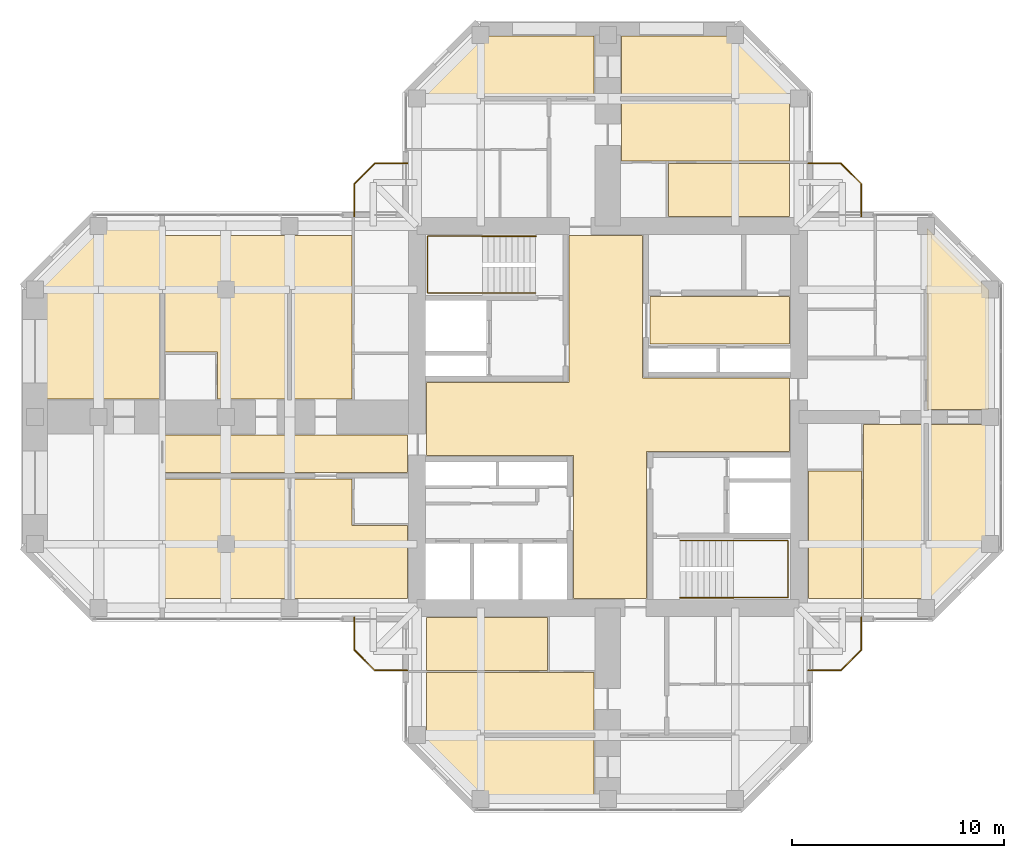
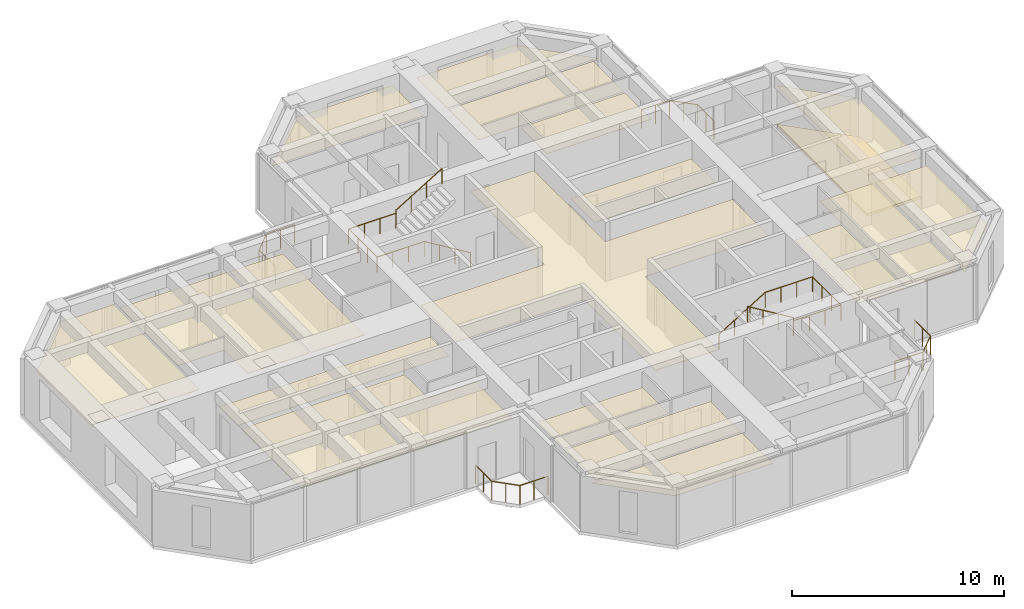
# One storey, part 13 of 13: 20 coverings, 8 railings.
"""IFC4 building model written with IfcOpenShell, lengths in metres."""

import ifcopenshell
import ifcopenshell.guid

model = None  # the IFC model being written
_history = None  # IfcOwnerHistory: only IFC2X3 demands one
_inside = {}  # id of a spatial element -> (the spatial element, [elements in it])
_under = {}  # id of a project, library or spatial element -> (it, [spatial elements below it])
_declared = {}  # id of a project -> (the project, [libraries it declares])
_typed = {}  # id of a type object -> (the type object, [elements of that type])
_made_of = {}  # id of a material, layer set ... -> (it, [elements and type objects made of it])


def new_model(schema):
    """Start an empty IFC model of exactly this schema.

    Asked for "IFC4X3", IfcOpenShell would pick the latest addendum, in which some entities
    have other attributes; the version numbers below select the first issue.
    IFC2X3 requires an IfcOwnerHistory on every rooted entity: one is made here for all.
    """
    global model, _history
    if schema == "IFC4X3":
        model = ifcopenshell.file(schema_version=(4, 3, 0, 0))
    else:
        model = ifcopenshell.file(schema=schema)
    _inside.clear()
    _under.clear()
    _declared.clear()
    _typed.clear()
    _made_of.clear()
    _history = None
    if model.schema == "IFC2X3":
        org = make("IfcOrganization", Name="unknown")
        user = make(
            "IfcPersonAndOrganization",
            ThePerson=make("IfcPerson", FamilyName="unknown"),
            TheOrganization=org,
        )
        app = make(
            "IfcApplication",
            ApplicationDeveloper=org,
            Version="unknown",
            ApplicationFullName="unknown",
            ApplicationIdentifier="unknown",
        )
        _history = make(
            "IfcOwnerHistory",
            OwningUser=user,
            OwningApplication=app,
            ChangeAction="ADDED",
            CreationDate=0,
        )
    return model


def make(cls, **values):
    """One entity of the class cls with the attributes given. An attribute that is None is left unset."""
    return model.create_entity(
        cls, **{name: value for name, value in values.items() if value is not None}
    )


def rooted(cls, **values):
    """An entity with a GlobalId (a new one), such as an element, a storey or a relation."""
    return make(cls, GlobalId=ifcopenshell.guid.new(), OwnerHistory=_history, **values)


def si_unit(unit_type, name, prefix=None):
    """IfcSIUnit, for example si_unit("LENGTHUNIT", "METRE", prefix="MILLI")."""
    return make("IfcSIUnit", UnitType=unit_type, Prefix=prefix, Name=name)


def assignment(units):
    """IfcUnitAssignment: the units of a project."""
    return None if units is None else make("IfcUnitAssignment", Units=units)


def point(xyz):
    """IfcCartesianPoint."""
    return None if xyz is None else make("IfcCartesianPoint", Coordinates=xyz)


def direction(xyz):
    """IfcDirection."""
    return None if xyz is None else make("IfcDirection", DirectionRatios=xyz)


def frame(location, z_axis=None, x_axis=None):
    """IfcAxis2Placement3D, a coordinate frame: its origin and axes. An axis left out is left unset."""
    return make(
        "IfcAxis2Placement3D",
        Location=point(location),
        Axis=direction(z_axis),
        RefDirection=direction(x_axis),
    )


def frame_2d(location, x_axis=None):
    """IfcAxis2Placement2D, a coordinate frame in the plane: its origin and x axis."""
    return make(
        "IfcAxis2Placement2D", Location=point(location), RefDirection=direction(x_axis)
    )


def origin():
    """The frame at (0, 0, 0) with its axes left unset."""
    return frame((0.0, 0.0, 0.0))


def origin_2d():
    """The frame at (0, 0) in the plane with its x axis left unset."""
    return frame_2d((0.0, 0.0))


def place(relative_to, where):
    """IfcLocalPlacement: puts the frame where relative to a parent placement (None: the world)."""
    return make(
        "IfcLocalPlacement", PlacementRelTo=relative_to, RelativePlacement=where
    )


def context(
    kind, dimensions, precision=None, world=None, true_north=None, identifier=None
):
    """IfcGeometricRepresentationContext, for example the 3D "Model" context."""
    return make(
        "IfcGeometricRepresentationContext",
        ContextIdentifier=identifier,
        ContextType=kind,
        CoordinateSpaceDimension=dimensions,
        Precision=precision,
        WorldCoordinateSystem=world,
        TrueNorth=true_north,
    )


def subcontext(parent, identifier, kind, view, scale=None):
    """IfcGeometricRepresentationSubContext, for example "Body" below "Model"."""
    return make(
        "IfcGeometricRepresentationSubContext",
        ContextIdentifier=identifier,
        ContextType=kind,
        ParentContext=parent,
        TargetScale=scale,
        TargetView=view,
    )


def project(units=None, contexts=None):
    """IfcProject with its units and contexts."""
    return rooted(
        "IfcProject",
        Name="project",
        RepresentationContexts=contexts,
        UnitsInContext=assignment(units),
    )


def spatial(cls, under=None, at=None, **own):
    """A site, building, storey or space (cls), placed at a placement, below another one or the project."""
    s = rooted(cls, ObjectPlacement=at, **own)
    if under is not None:
        _under.setdefault(under.id(), (under, []))[1].append(s)
    return s


def polyline(points):
    """IfcPolyline through the points."""
    return make("IfcPolyline", Points=[point(p) for p in points])


def profile(cls, at=None, kind="AREA", **sizes):
    """A parametric profile (cls). Its sizes go by their IFC names, for example OverallWidth=200.0."""
    return make(cls, ProfileType=kind, Position=at, **sizes)


def circle(**sizes):
    """IfcCircleProfileDef."""
    return profile("IfcCircleProfileDef", **sizes)


def outline(outer, holes=None, kind="AREA"):
    """IfcArbitraryClosedProfileDef: a profile drawn as a closed curve; with holes, ...WithVoids."""
    if holes is None:
        return make("IfcArbitraryClosedProfileDef", ProfileType=kind, OuterCurve=outer)
    return make(
        "IfcArbitraryProfileDefWithVoids",
        ProfileType=kind,
        OuterCurve=outer,
        InnerCurves=holes,
    )


def extrude(swept, where, along, depth):
    """IfcExtrudedAreaSolid: the profile swept, set in the frame where, extruded along a direction by depth."""
    return make(
        "IfcExtrudedAreaSolid",
        SweptArea=swept,
        Position=where,
        ExtrudedDirection=direction(along),
        Depth=depth,
    )


def shape(context_of_items, identifier, shape_type, items):
    """IfcShapeRepresentation: the items that make up one representation, for example the "Body"."""
    return make(
        "IfcShapeRepresentation",
        ContextOfItems=context_of_items,
        RepresentationIdentifier=identifier,
        RepresentationType=shape_type,
        Items=items,
    )


def material(Name=None, Category=None):
    """IfcMaterial."""
    return make("IfcMaterial", Name=Name, Category=Category)


def layer(
    of_material, thickness, ventilated=None, Name=None, Category=None, Priority=None
):
    """IfcMaterialLayer: one layer of a wall or slab, of a material (None: an air gap)."""
    return make(
        "IfcMaterialLayer",
        Material=of_material,
        LayerThickness=thickness,
        IsVentilated=ventilated,
        Name=Name,
        Category=Category,
        Priority=Priority,
    )


def layer_set(layers, Name=None):
    """IfcMaterialLayerSet."""
    return make("IfcMaterialLayerSet", MaterialLayers=layers, LayerSetName=Name)


def constituent(of_material, Name=None, Category=None, fraction=None):
    """IfcMaterialConstituent: one of the materials an element consists of."""
    return make(
        "IfcMaterialConstituent",
        Name=Name,
        Material=of_material,
        Fraction=fraction,
        Category=Category,
    )


def constituent_set(constituents=None, Name=None):
    """IfcMaterialConstituentSet."""
    return make(
        "IfcMaterialConstituentSet", Name=Name, MaterialConstituents=constituents
    )


def made_of(thing, what):
    """Note that an element or type object is made of a material, layer set ...; save() writes the relation."""
    if what is not None:
        _made_of.setdefault(what.id(), (what, []))[1].append(thing)
    return thing


def type_object(cls, material=None, **own):
    """A type object (cls), such as IfcWallType, which elements share."""
    return made_of(rooted(cls, **own), material)


def element(
    cls,
    number,
    at=None,
    inside=None,
    cuts=None,
    type_object=None,
    material=None,
    context=None,
    identifier="Body",
    shape_type=None,
    held_by="IfcProductDefinitionShape",
    body=None,
    shapes=None,
    **own,
):
    """One element of the class cls, such as IfcWall. Its Tag is "e" and its number.

    at: its placement. inside: the storey or other place that contains it. cuts: it is an
    opening in that element (IfcRelVoidsElement). A single representation is given by context,
    identifier, shape_type and body (its items); several are given by shapes. held_by: the class
    of the entity that holds the representations. save() writes the other relations.
    """
    e = rooted(cls, Tag="e%d" % number, ObjectPlacement=at, **own)
    if body is not None:
        shapes = [shape(context, identifier, shape_type, body)]
    if shapes is not None:
        e.Representation = make(held_by, Representations=shapes)
    if inside is not None:
        _inside.setdefault(inside.id(), (inside, []))[1].append(e)
    if cuts is not None:
        rooted(
            "IfcRelVoidsElement", RelatingBuildingElement=cuts, RelatedOpeningElement=e
        )
    if type_object is not None:
        _typed.setdefault(type_object.id(), (type_object, []))[1].append(e)
    return made_of(e, material)


def aggregate(whole, parts):
    """IfcRelAggregates: a whole, such as a stair, and the parts it consists of."""
    return rooted("IfcRelAggregates", RelatingObject=whole, RelatedObjects=parts)


def save(model, path):
    """Write the relations noted so far, then the file.

    IfcRelAggregates (storeys below a building ...), IfcRelContainedInSpatialStructure (elements
    in a storey), IfcRelDefinesByType, IfcRelAssociatesMaterial and IfcRelDeclares: one each for
    every whole, place, type object, material and project.
    """
    for whole, parts in _under.values():
        aggregate(whole, parts)
    for where, things in _inside.values():
        rooted(
            "IfcRelContainedInSpatialStructure",
            RelatedElements=things,
            RelatingStructure=where,
        )
    for kind, things in _typed.values():
        rooted("IfcRelDefinesByType", RelatedObjects=things, RelatingType=kind)
    for what, things in _made_of.values():
        rooted("IfcRelAssociatesMaterial", RelatedObjects=things, RelatingMaterial=what)
    for by, libraries in _declared.values():
        rooted("IfcRelDeclares", RelatingContext=by, RelatedDefinitions=libraries)
    model.write(path)


model = new_model("IFC4")

# Units and contexts
model_context = context("Model", 3, precision=1e-05, world=origin(), true_north=direction((0.0, 1.0)))
body_context = subcontext(model_context, "Body", "Model", "MODEL_VIEW")
ifc_project = project(units=[si_unit("LENGTHUNIT", "METRE"), si_unit("AREAUNIT", "SQUARE_METRE"), si_unit("VOLUMEUNIT", "CUBIC_METRE"), si_unit("PLANEANGLEUNIT", "RADIAN"), si_unit("MASSUNIT", "GRAM", prefix="KILO")], contexts=[model_context])

# Site, building, storey
site_placement = place(None, origin())
site = spatial("IfcSite", under=ifc_project, at=site_placement, CompositionType="ELEMENT")
building_placement = place(site_placement, origin())
building = spatial("IfcBuilding", under=site, at=building_placement, Name="Torre Cruceta", CompositionType="ELEMENT")
storey_placement = place(building_placement, frame((0.0, 0.0, 239.10009765625)))
storey = spatial("IfcBuildingStorey", under=building, at=storey_placement, Name="L61", CompositionType="ELEMENT", Elevation=239.10009765625)

# Railings
ifc_material_1 = material(Name="Stainless steel 1.4401", Category="steel")
ifc_constituent_1 = constituent(ifc_material_1, Name="Frame")
ifc_material_2 = material(Name="Laminated safety glass", Category="glass")
ifc_constituent_2 = constituent(ifc_material_2, Name="Infill")
ifc_constituent_set_1 = constituent_set(constituents=[ifc_constituent_1, ifc_constituent_2], Name="Stainless steel and laminated glass balustrade")
railing_type_1 = type_object("IfcRailingType", Name="BALCONY BALUSTRADE 1100", PredefinedType="BALUSTRADE", material=ifc_constituent_set_1)
railing_1_placement = place(storey_placement, frame((-9.449951171875, 11.949951171875, 0.0)))
element("IfcRailing", 1, at=railing_1_placement, inside=storey, type_object=railing_type_1, Name="BL1 balcony balustrade L61 N", PredefinedType="BALUSTRADE", context=body_context, shape_type="SweptSolid", body=[
    extrude(circle(Radius=0.02392578125, at=origin_2d()), frame((0.0, 0.0, 1.076171875), z_axis=(-1.0, 0.0, 0.0), x_axis=(0.0, -1.0, 0.0)), (0.0, 0.0, 1.0), 1.529296875),
    extrude(circle(Radius=0.02392578125, at=origin_2d()), frame((-1.529296875, 0.0, 1.076171875), z_axis=(-0.707106781187, -0.707106781187, 0.0), x_axis=(0.707106781187, -0.707106781187, 0.0)), (0.0, 0.0, 1.0), 1.372802734375),
    extrude(circle(Radius=0.02392578125, at=origin_2d()), frame((-2.5, -0.970703125, 1.076171875), z_axis=(0.0, -1.0, 0.0), x_axis=(1.0, 0.0, 0.0)), (0.0, 0.0, 1.0), 1.529296875),
    extrude(circle(Radius=0.02099609375, at=origin_2d()), origin(), (0.0, 0.0, 1.0), 1.052001953125),
    extrude(circle(Radius=0.02099609375, at=origin_2d()), frame((-0.7646484375, 0.0, 0.0)), (0.0, 0.0, 1.0), 1.052001953125),
    extrude(circle(Radius=0.02099609375, at=origin_2d()), frame((-1.529296875, 0.0, 0.0)), (0.0, 0.0, 1.0), 1.052001953125),
    extrude(circle(Radius=0.02099609375, at=origin_2d()), frame((-2.0146484375, -0.4853515625, 0.0)), (0.0, 0.0, 1.0), 1.052001953125),
    extrude(circle(Radius=0.02099609375, at=origin_2d()), frame((-2.5, -0.970703125, 0.0)), (0.0, 0.0, 1.0), 1.052001953125),
    extrude(circle(Radius=0.02099609375, at=origin_2d()), frame((-2.5, -1.7353515625, 0.0)), (0.0, 0.0, 1.0), 1.052001953125),
    extrude(circle(Radius=0.02099609375, at=origin_2d()), frame((-2.5, -2.5, 0.0)), (0.0, 0.0, 1.0), 1.052001953125),
])
railing_2_placement = place(storey_placement, frame((9.449951171875, 11.949951171875, 0.0)))
element("IfcRailing", 2, at=railing_2_placement, inside=storey, type_object=railing_type_1, Name="BL1 balcony balustrade L61 E", PredefinedType="BALUSTRADE", context=body_context, shape_type="SweptSolid", body=[
    extrude(circle(Radius=0.02392578125, at=origin_2d()), frame((0.0, 0.0, 1.076171875), z_axis=(1.0, 0.0, 0.0), x_axis=(0.0, 1.0, 0.0)), (0.0, 0.0, 1.0), 1.529296875),
    extrude(circle(Radius=0.02392578125, at=origin_2d()), frame((1.529296875, 0.0, 1.076171875), z_axis=(0.707106781187, -0.707106781187, 0.0), x_axis=(0.707106781187, 0.707106781187, 0.0)), (0.0, 0.0, 1.0), 1.372802734375),
    extrude(circle(Radius=0.02392578125, at=origin_2d()), frame((2.5, -0.970703125, 1.076171875), z_axis=(0.0, -1.0, 0.0), x_axis=(1.0, 0.0, 0.0)), (0.0, 0.0, 1.0), 1.529296875),
    extrude(circle(Radius=0.02099609375, at=origin_2d()), origin(), (0.0, 0.0, 1.0), 1.052001953125),
    extrude(circle(Radius=0.02099609375, at=origin_2d()), frame((0.7646484375, 0.0, 0.0)), (0.0, 0.0, 1.0), 1.052001953125),
    extrude(circle(Radius=0.02099609375, at=origin_2d()), frame((1.529296875, 0.0, 0.0)), (0.0, 0.0, 1.0), 1.052001953125),
    extrude(circle(Radius=0.02099609375, at=origin_2d()), frame((2.0146484375, -0.4853515625, 0.0)), (0.0, 0.0, 1.0), 1.052001953125),
    extrude(circle(Radius=0.02099609375, at=origin_2d()), frame((2.5, -0.970703125, 0.0)), (0.0, 0.0, 1.0), 1.052001953125),
    extrude(circle(Radius=0.02099609375, at=origin_2d()), frame((2.5, -1.7353515625, 0.0)), (0.0, 0.0, 1.0), 1.052001953125),
    extrude(circle(Radius=0.02099609375, at=origin_2d()), frame((2.5, -2.5, 0.0)), (0.0, 0.0, 1.0), 1.052001953125),
])
railing_3_placement = place(storey_placement, frame((9.449951171875, -11.949951171875, 0.0)))
element("IfcRailing", 3, at=railing_3_placement, inside=storey, type_object=railing_type_1, Name="BL1 balcony balustrade L61 S", PredefinedType="BALUSTRADE", context=body_context, shape_type="SweptSolid", body=[
    extrude(circle(Radius=0.02392578125, at=origin_2d()), frame((0.0, 0.0, 1.076171875), z_axis=(1.0, 0.0, 0.0), x_axis=(0.0, 1.0, 0.0)), (0.0, 0.0, 1.0), 1.529296875),
    extrude(circle(Radius=0.02392578125, at=origin_2d()), frame((1.529296875, 0.0, 1.076171875), z_axis=(0.707106781187, 0.707106781187, 0.0), x_axis=(-0.707106781187, 0.707106781187, 0.0)), (0.0, 0.0, 1.0), 1.372802734375),
    extrude(circle(Radius=0.02392578125, at=origin_2d()), frame((2.5, 0.970703125, 1.076171875), z_axis=(0.0, 1.0, 0.0), x_axis=(-1.0, 0.0, 0.0)), (0.0, 0.0, 1.0), 1.529296875),
    extrude(circle(Radius=0.02099609375, at=origin_2d()), origin(), (0.0, 0.0, 1.0), 1.052001953125),
    extrude(circle(Radius=0.02099609375, at=origin_2d()), frame((0.7646484375, 0.0, 0.0)), (0.0, 0.0, 1.0), 1.052001953125),
    extrude(circle(Radius=0.02099609375, at=origin_2d()), frame((1.529296875, 0.0, 0.0)), (0.0, 0.0, 1.0), 1.052001953125),
    extrude(circle(Radius=0.02099609375, at=origin_2d()), frame((2.0146484375, 0.4853515625, 0.0)), (0.0, 0.0, 1.0), 1.052001953125),
    extrude(circle(Radius=0.02099609375, at=origin_2d()), frame((2.5, 0.970703125, 0.0)), (0.0, 0.0, 1.0), 1.052001953125),
    extrude(circle(Radius=0.02099609375, at=origin_2d()), frame((2.5, 1.7353515625, 0.0)), (0.0, 0.0, 1.0), 1.052001953125),
    extrude(circle(Radius=0.02099609375, at=origin_2d()), frame((2.5, 2.5, 0.0)), (0.0, 0.0, 1.0), 1.052001953125),
])
railing_4_placement = place(storey_placement, frame((-9.449951171875, -11.949951171875, 0.0)))
element("IfcRailing", 4, at=railing_4_placement, inside=storey, type_object=railing_type_1, Name="BL1 balcony balustrade L61 W", PredefinedType="BALUSTRADE", context=body_context, shape_type="SweptSolid", body=[
    extrude(circle(Radius=0.02392578125, at=origin_2d()), frame((0.0, 0.0, 1.076171875), z_axis=(-1.0, 0.0, 0.0), x_axis=(0.0, -1.0, 0.0)), (0.0, 0.0, 1.0), 1.529296875),
    extrude(circle(Radius=0.02392578125, at=origin_2d()), frame((-1.529296875, 0.0, 1.076171875), z_axis=(-0.707106781187, 0.707106781187, 0.0), x_axis=(-0.707106781187, -0.707106781187, 0.0)), (0.0, 0.0, 1.0), 1.372802734375),
    extrude(circle(Radius=0.02392578125, at=origin_2d()), frame((-2.5, 0.970703125, 1.076171875), z_axis=(0.0, 1.0, 0.0), x_axis=(-1.0, 0.0, 0.0)), (0.0, 0.0, 1.0), 1.529296875),
    extrude(circle(Radius=0.02099609375, at=origin_2d()), origin(), (0.0, 0.0, 1.0), 1.052001953125),
    extrude(circle(Radius=0.02099609375, at=origin_2d()), frame((-0.7646484375, 0.0, 0.0)), (0.0, 0.0, 1.0), 1.052001953125),
    extrude(circle(Radius=0.02099609375, at=origin_2d()), frame((-1.529296875, 0.0, 0.0)), (0.0, 0.0, 1.0), 1.052001953125),
    extrude(circle(Radius=0.02099609375, at=origin_2d()), frame((-2.0146484375, 0.4853515625, 0.0)), (0.0, 0.0, 1.0), 1.052001953125),
    extrude(circle(Radius=0.02099609375, at=origin_2d()), frame((-2.5, 0.970703125, 0.0)), (0.0, 0.0, 1.0), 1.052001953125),
    extrude(circle(Radius=0.02099609375, at=origin_2d()), frame((-2.5, 1.7353515625, 0.0)), (0.0, 0.0, 1.0), 1.052001953125),
    extrude(circle(Radius=0.02099609375, at=origin_2d()), frame((-2.5, 2.5, 0.0)), (0.0, 0.0, 1.0), 1.052001953125),
])
ifc_material_3 = material(Name="Stainless steel 1.4401", Category="steel")
railing_type_2 = type_object("IfcRailingType", Name="HANDRAIL 900", PredefinedType="HANDRAIL", material=ifc_material_3)
railing_5_placement = place(storey_placement, frame((-3.39990234375, 5.8349609375, 0.169921875)))
element("IfcRailing", 5, at=railing_5_placement, inside=storey, type_object=railing_type_2, Name="Handrail HR1 ST1 L61", PredefinedType="HANDRAIL", context=body_context, shape_type="SweptSolid", body=[
    extrude(circle(Radius=0.02392578125, at=origin_2d()), frame((0.0, 0.0, 0.8759765625), z_axis=(-0.85478489116, 0.0, 0.518982456201), x_axis=(0.0, -1.0, 0.0)), (0.0, 0.0, 1.0), 2.9482421875),
    extrude(circle(Radius=0.02392578125, at=origin_2d()), frame((-2.52001953125, 0.0, 2.40576171875), z_axis=(-1.0, 0.0, 0.0), x_axis=(0.0, -1.0, 0.0)), (0.0, 0.0, 1.0), 2.570068359375),
    extrude(circle(Radius=0.02392578125, at=origin_2d()), frame((-5.090087890625, 0.0, 2.40576171875), z_axis=(0.0, 1.0, 0.0), x_axis=(-1.0, 0.0, 0.0)), (0.0, 0.0, 1.0), 2.679931640625),
    extrude(circle(Radius=0.02392578125, at=origin_2d()), frame((-5.090087890625, 2.679931640625, 2.40576171875), z_axis=(1.0, 0.0, 0.0), x_axis=(0.0, 1.0, 0.0)), (0.0, 0.0, 1.0), 2.570068359375),
    extrude(circle(Radius=0.02099609375, at=origin_2d()), origin(), (0.0, 0.0, 1.0), 0.851806640625),
    extrude(circle(Radius=0.02099609375, at=origin_2d()), frame((-0.840087890625, 0.0, 0.510009765625)), (0.0, 0.0, 1.0), 0.851806640625),
    extrude(circle(Radius=0.02099609375, at=origin_2d()), frame((-1.679931640625, 0.0, 1.02001953125)), (0.0, 0.0, 1.0), 0.851806640625),
    extrude(circle(Radius=0.02099609375, at=origin_2d()), frame((-2.52001953125, 0.0, 1.530029296875)), (0.0, 0.0, 1.0), 0.851806640625),
    extrude(circle(Radius=0.02099609375, at=origin_2d()), frame((-3.376708984375, 0.0, 1.530029296875)), (0.0, 0.0, 1.0), 0.851806640625),
    extrude(circle(Radius=0.02099609375, at=origin_2d()), frame((-4.2333984375, 0.0, 1.530029296875)), (0.0, 0.0, 1.0), 0.851806640625),
    extrude(circle(Radius=0.02099609375, at=origin_2d()), frame((-5.090087890625, 0.0, 1.530029296875)), (0.0, 0.0, 1.0), 0.851806640625),
    extrude(circle(Radius=0.02099609375, at=origin_2d()), frame((-5.090087890625, 0.893310546875, 1.530029296875)), (0.0, 0.0, 1.0), 0.851806640625),
    extrude(circle(Radius=0.02099609375, at=origin_2d()), frame((-5.090087890625, 1.78662109375, 1.530029296875)), (0.0, 0.0, 1.0), 0.851806640625),
    extrude(circle(Radius=0.02099609375, at=origin_2d()), frame((-5.090087890625, 2.679931640625, 1.530029296875)), (0.0, 0.0, 1.0), 0.851806640625),
    extrude(circle(Radius=0.02099609375, at=origin_2d()), frame((-4.2333984375, 2.679931640625, 1.530029296875)), (0.0, 0.0, 1.0), 0.851806640625),
    extrude(circle(Radius=0.02099609375, at=origin_2d()), frame((-3.376708984375, 2.679931640625, 1.530029296875)), (0.0, 0.0, 1.0), 0.851806640625),
    extrude(circle(Radius=0.02099609375, at=origin_2d()), frame((-2.52001953125, 2.679931640625, 1.530029296875)), (0.0, 0.0, 1.0), 0.851806640625),
])
railing_6_placement = place(storey_placement, frame((-5.919921875, 8.514892578125, 1.869873046875)))
element("IfcRailing", 6, at=railing_6_placement, inside=storey, type_object=railing_type_2, Name="Handrail HR1 ST1 L61", PredefinedType="HANDRAIL", context=body_context, shape_type="SweptSolid", body=[
    extrude(circle(Radius=0.02392578125, at=origin_2d()), frame((0.0, 0.0, 0.8759765625), z_axis=(0.85478489116, 0.0, 0.518982456201), x_axis=(0.0, 1.0, 0.0)), (0.0, 0.0, 1.0), 2.9482421875),
    extrude(circle(Radius=0.02099609375, at=origin_2d()), origin(), (0.0, 0.0, 1.0), 0.851806640625),
    extrude(circle(Radius=0.02099609375, at=origin_2d()), frame((0.840087890625, 0.0, 0.510009765625)), (0.0, 0.0, 1.0), 0.851806640625),
    extrude(circle(Radius=0.02099609375, at=origin_2d()), frame((1.679931640625, 0.0, 1.02001953125)), (0.0, 0.0, 1.0), 0.851806640625),
    extrude(circle(Radius=0.02099609375, at=origin_2d()), frame((2.52001953125, 0.0, 1.530029296875)), (0.0, 0.0, 1.0), 0.851806640625),
])
railing_7_placement = place(storey_placement, frame((3.39990234375, -5.8349609375, 0.169921875)))
element("IfcRailing", 7, at=railing_7_placement, inside=storey, type_object=railing_type_2, Name="Handrail HR1 ST2 L61", PredefinedType="HANDRAIL", context=body_context, shape_type="SweptSolid", body=[
    extrude(circle(Radius=0.02392578125, at=origin_2d()), frame((0.0, 0.0, 0.8759765625), z_axis=(0.85478489116, 0.0, 0.518982456201), x_axis=(0.0, 1.0, 0.0)), (0.0, 0.0, 1.0), 2.9482421875),
    extrude(circle(Radius=0.02392578125, at=origin_2d()), frame((2.52001953125, 0.0, 2.40576171875), z_axis=(1.0, 0.0, 0.0), x_axis=(0.0, 1.0, 0.0)), (0.0, 0.0, 1.0), 2.570068359375),
    extrude(circle(Radius=0.02392578125, at=origin_2d()), frame((5.090087890625, 0.0, 2.40576171875), z_axis=(0.0, -1.0, 0.0), x_axis=(1.0, 0.0, 0.0)), (0.0, 0.0, 1.0), 2.679931640625),
    extrude(circle(Radius=0.02392578125, at=origin_2d()), frame((5.090087890625, -2.679931640625, 2.40576171875), z_axis=(-1.0, 0.0, 0.0), x_axis=(0.0, -1.0, 0.0)), (0.0, 0.0, 1.0), 2.570068359375),
    extrude(circle(Radius=0.02099609375, at=origin_2d()), origin(), (0.0, 0.0, 1.0), 0.851806640625),
    extrude(circle(Radius=0.02099609375, at=origin_2d()), frame((0.840087890625, 0.0, 0.510009765625)), (0.0, 0.0, 1.0), 0.851806640625),
    extrude(circle(Radius=0.02099609375, at=origin_2d()), frame((1.679931640625, 0.0, 1.02001953125)), (0.0, 0.0, 1.0), 0.851806640625),
    extrude(circle(Radius=0.02099609375, at=origin_2d()), frame((2.52001953125, 0.0, 1.530029296875)), (0.0, 0.0, 1.0), 0.851806640625),
    extrude(circle(Radius=0.02099609375, at=origin_2d()), frame((3.376708984375, 0.0, 1.530029296875)), (0.0, 0.0, 1.0), 0.851806640625),
    extrude(circle(Radius=0.02099609375, at=origin_2d()), frame((4.2333984375, 0.0, 1.530029296875)), (0.0, 0.0, 1.0), 0.851806640625),
    extrude(circle(Radius=0.02099609375, at=origin_2d()), frame((5.090087890625, 0.0, 1.530029296875)), (0.0, 0.0, 1.0), 0.851806640625),
    extrude(circle(Radius=0.02099609375, at=origin_2d()), frame((5.090087890625, -0.893310546875, 1.530029296875)), (0.0, 0.0, 1.0), 0.851806640625),
    extrude(circle(Radius=0.02099609375, at=origin_2d()), frame((5.090087890625, -1.78662109375, 1.530029296875)), (0.0, 0.0, 1.0), 0.851806640625),
    extrude(circle(Radius=0.02099609375, at=origin_2d()), frame((5.090087890625, -2.679931640625, 1.530029296875)), (0.0, 0.0, 1.0), 0.851806640625),
    extrude(circle(Radius=0.02099609375, at=origin_2d()), frame((4.2333984375, -2.679931640625, 1.530029296875)), (0.0, 0.0, 1.0), 0.851806640625),
    extrude(circle(Radius=0.02099609375, at=origin_2d()), frame((3.376708984375, -2.679931640625, 1.530029296875)), (0.0, 0.0, 1.0), 0.851806640625),
    extrude(circle(Radius=0.02099609375, at=origin_2d()), frame((2.52001953125, -2.679931640625, 1.530029296875)), (0.0, 0.0, 1.0), 0.851806640625),
])
railing_8_placement = place(storey_placement, frame((5.919921875, -8.514892578125, 1.869873046875)))
element("IfcRailing", 8, at=railing_8_placement, inside=storey, type_object=railing_type_2, Name="Handrail HR1 ST2 L61", PredefinedType="HANDRAIL", context=body_context, shape_type="SweptSolid", body=[
    extrude(circle(Radius=0.02392578125, at=origin_2d()), frame((0.0, 0.0, 0.8759765625), z_axis=(-0.85478489116, 0.0, 0.518982456201), x_axis=(0.0, -1.0, 0.0)), (0.0, 0.0, 1.0), 2.9482421875),
    extrude(circle(Radius=0.02099609375, at=origin_2d()), origin(), (0.0, 0.0, 1.0), 0.851806640625),
    extrude(circle(Radius=0.02099609375, at=origin_2d()), frame((-0.840087890625, 0.0, 0.510009765625)), (0.0, 0.0, 1.0), 0.851806640625),
    extrude(circle(Radius=0.02099609375, at=origin_2d()), frame((-1.679931640625, 0.0, 1.02001953125)), (0.0, 0.0, 1.0), 0.851806640625),
    extrude(circle(Radius=0.02099609375, at=origin_2d()), frame((-2.52001953125, 0.0, 1.530029296875)), (0.0, 0.0, 1.0), 0.851806640625),
])

# Coverings
ifc_material_4 = material(Name="Steel DX51D", Category="steel")
ifc_constituent_3 = constituent(ifc_material_4, Name="Panel casing")
ifc_material_5 = material(Name="Calcium sulphate", Category="gypsum")
ifc_constituent_4 = constituent(ifc_material_5, Name="Panel core")
ifc_constituent_set_2 = constituent_set(constituents=[ifc_constituent_3, ifc_constituent_4], Name="Raised access floor panel")
covering_type_1 = type_object("IfcCoveringType", Name="RAISED ACCESS FLOOR 150", PredefinedType="FLOORING", material=ifc_constituent_set_2)
covering_1_placement = place(storey_placement, origin())
element("IfcCovering", 9, at=covering_1_placement, inside=storey, type_object=covering_type_1, Name="Raised floor L61-038", PredefinedType="FLOORING", context=body_context, shape_type="SweptSolid", body=[
    extrude(outline(polyline([(17.949951171875, 5.979248046875), (17.949951171875, 0.35009765625), (15.050048828125, 0.35009765625), (15.050048828125, 8.87939453125), (17.949951171875, 5.979248046875)])), origin(), (0.0, 0.0, 1.0), 0.14990234375),
])
ifc_material_6 = material(Name="Mineral fibre ceiling tile", Category="gypsum")
ifc_layer = layer(ifc_material_6, 0.02001953125)
ifc_layer_set = layer_set([ifc_layer], Name="Mineral fibre ceiling tile")
covering_type_2 = type_object("IfcCoveringType", Name="SUSPENDED CEILING 20", PredefinedType="CEILING", material=ifc_layer_set)
covering_2_placement = place(storey_placement, frame((0.0, 0.0, 2.349853515625)))
element("IfcCovering", 10, at=covering_2_placement, inside=storey, type_object=covering_type_2, Name="Ceiling L61-003", PredefinedType="CEILING", context=body_context, shape_type="SweptSolid", body=[
    extrude(outline(polyline([(-1.625, -8.550048828125), (-1.625, -1.824951171875), (-8.550048828125, -1.824951171875), (-8.550048828125, 1.625), (-1.824951171875, 1.625), (-1.824951171875, 8.550048828125), (1.625, 8.550048828125), (1.625, 1.824951171875), (8.550048828125, 1.824951171875), (8.550048828125, -1.625), (1.824951171875, -1.625), (1.824951171875, -8.550048828125), (-1.625, -8.550048828125)])), origin(), (0.0, 0.0, 1.0), 0.02001953125),
])
covering_3_placement = place(storey_placement, frame((0.0, 0.0, 2.349853515625)))
element("IfcCovering", 11, at=covering_3_placement, inside=storey, type_object=covering_type_2, Name="Ceiling L61-004", PredefinedType="CEILING", context=body_context, shape_type="SweptSolid", body=[
    extrude(outline(polyline([(1.97509765625, 3.425048828125), (1.97509765625, 5.675048828125), (8.550048828125, 5.675048828125), (8.550048828125, 3.425048828125), (1.97509765625, 3.425048828125)])), origin(), (0.0, 0.0, 1.0), 0.02001953125),
])
covering_4_placement = place(storey_placement, frame((0.0, 0.0, 2.349853515625)))
element("IfcCovering", 12, at=covering_4_placement, inside=storey, type_object=covering_type_2, Name="Ceiling L61-026", PredefinedType="CEILING", context=body_context, shape_type="SweptSolid", body=[
    extrude(outline(polyline([(8.550048828125, 14.949951171875), (8.550048828125, 12.050048828125), (0.64990234375, 12.050048828125), (0.64990234375, 14.949951171875), (8.550048828125, 14.949951171875)])), origin(), (0.0, 0.0, 1.0), 0.02001953125),
])
covering_5_placement = place(storey_placement, frame((0.0, 0.0, 2.349853515625)))
element("IfcCovering", 13, at=covering_5_placement, inside=storey, type_object=covering_type_2, Name="Ceiling L61-027", PredefinedType="CEILING", context=body_context, shape_type="SweptSolid", body=[
    extrude(outline(polyline([(8.550048828125, 9.449951171875), (2.85009765625, 9.449951171875), (2.85009765625, 11.949951171875), (8.550048828125, 11.949951171875), (8.550048828125, 9.449951171875)])), origin(), (0.0, 0.0, 1.0), 0.02001953125),
])
covering_6_placement = place(storey_placement, frame((0.0, 0.0, 2.349853515625)))
element("IfcCovering", 14, at=covering_6_placement, inside=storey, type_object=covering_type_2, Name="Ceiling L61-029", PredefinedType="CEILING", context=body_context, shape_type="SweptSolid", body=[
    extrude(outline(polyline([(-5.979248046875, 17.949951171875), (-0.64990234375, 17.949951171875), (-0.64990234375, 15.050048828125), (-8.87939453125, 15.050048828125), (-5.979248046875, 17.949951171875)])), origin(), (0.0, 0.0, 1.0), 0.02001953125),
])
covering_7_placement = place(storey_placement, frame((0.0, 0.0, 2.349853515625)))
element("IfcCovering", 15, at=covering_7_placement, inside=storey, type_object=covering_type_2, Name="Ceiling L61-030", PredefinedType="CEILING", context=body_context, shape_type="SweptSolid", body=[
    extrude(outline(polyline([(8.87939453125, 15.050048828125), (0.64990234375, 15.050048828125), (0.64990234375, 17.949951171875), (5.979248046875, 17.949951171875), (8.87939453125, 15.050048828125)])), origin(), (0.0, 0.0, 1.0), 0.02001953125),
])
covering_8_placement = place(storey_placement, frame((0.0, 0.0, 2.349853515625)))
element("IfcCovering", 16, at=covering_8_placement, inside=storey, type_object=covering_type_2, Name="Ceiling L61-035", PredefinedType="CEILING", context=body_context, shape_type="SweptSolid", body=[
    extrude(outline(polyline([(14.949951171875, -8.550048828125), (12.050048828125, -8.550048828125), (12.050048828125, -0.35009765625), (14.949951171875, -0.35009765625), (14.949951171875, -8.550048828125)])), origin(), (0.0, 0.0, 1.0), 0.02001953125),
])
covering_9_placement = place(storey_placement, frame((0.0, 0.0, 2.349853515625)))
element("IfcCovering", 17, at=covering_9_placement, inside=storey, type_object=covering_type_2, Name="Ceiling L61-036", PredefinedType="CEILING", context=body_context, shape_type="SweptSolid", body=[
    extrude(outline(polyline([(9.449951171875, -8.550048828125), (9.449951171875, -2.550048828125), (11.949951171875, -2.550048828125), (11.949951171875, -8.550048828125), (9.449951171875, -8.550048828125)])), origin(), (0.0, 0.0, 1.0), 0.02001953125),
])
covering_10_placement = place(storey_placement, frame((0.0, 0.0, 2.349853515625)))
element("IfcCovering", 18, at=covering_10_placement, inside=storey, type_object=covering_type_2, Name="Ceiling L61-038", PredefinedType="CEILING", context=body_context, shape_type="SweptSolid", body=[
    extrude(outline(polyline([(17.949951171875, 5.979248046875), (17.949951171875, 0.35009765625), (15.050048828125, 0.35009765625), (15.050048828125, 8.87939453125), (17.949951171875, 5.979248046875)])), origin(), (0.0, 0.0, 1.0), 0.02001953125),
])
covering_11_placement = place(storey_placement, frame((0.0, 0.0, 2.349853515625)))
element("IfcCovering", 19, at=covering_11_placement, inside=storey, type_object=covering_type_2, Name="Ceiling L61-039", PredefinedType="CEILING", context=body_context, shape_type="SweptSolid", body=[
    extrude(outline(polyline([(15.050048828125, -8.87939453125), (15.050048828125, -0.35009765625), (17.949951171875, -0.35009765625), (17.949951171875, -5.979248046875), (15.050048828125, -8.87939453125)])), origin(), (0.0, 0.0, 1.0), 0.02001953125),
])
covering_12_placement = place(storey_placement, frame((0.0, 0.0, 2.349853515625)))
element("IfcCovering", 20, at=covering_12_placement, inside=storey, type_object=covering_type_2, Name="Ceiling L61-044", PredefinedType="CEILING", context=body_context, shape_type="SweptSolid", body=[
    extrude(outline(polyline([(-8.550048828125, -14.949951171875), (-8.550048828125, -12.050048828125), (-0.64990234375, -12.050048828125), (-0.64990234375, -14.949951171875), (-8.550048828125, -14.949951171875)])), origin(), (0.0, 0.0, 1.0), 0.02001953125),
])
covering_13_placement = place(storey_placement, frame((0.0, 0.0, 2.349853515625)))
element("IfcCovering", 21, at=covering_13_placement, inside=storey, type_object=covering_type_2, Name="Ceiling L61-045", PredefinedType="CEILING", context=body_context, shape_type="SweptSolid", body=[
    extrude(outline(polyline([(-8.550048828125, -9.449951171875), (-2.85009765625, -9.449951171875), (-2.85009765625, -11.949951171875), (-8.550048828125, -11.949951171875), (-8.550048828125, -9.449951171875)])), origin(), (0.0, 0.0, 1.0), 0.02001953125),
])
covering_14_placement = place(storey_placement, frame((0.0, 0.0, 2.349853515625)))
element("IfcCovering", 22, at=covering_14_placement, inside=storey, type_object=covering_type_2, Name="Ceiling L61-048", PredefinedType="CEILING", context=body_context, shape_type="SweptSolid", body=[
    extrude(outline(polyline([(-8.87939453125, -15.050048828125), (-0.64990234375, -15.050048828125), (-0.64990234375, -17.949951171875), (-5.979248046875, -17.949951171875), (-8.87939453125, -15.050048828125)])), origin(), (0.0, 0.0, 1.0), 0.02001953125),
])
covering_15_placement = place(storey_placement, frame((0.0, 0.0, 2.349853515625)))
element("IfcCovering", 23, at=covering_15_placement, inside=storey, type_object=covering_type_2, Name="Ceiling L61-049", PredefinedType="CEILING", context=body_context, shape_type="SweptSolid", body=[
    extrude(outline(polyline([(-9.449951171875, -0.85009765625), (-9.449951171875, -2.625), (-20.949951171875, -2.625), (-20.949951171875, -0.85009765625), (-9.449951171875, -0.85009765625)])), origin(), (0.0, 0.0, 1.0), 0.02001953125),
])
covering_16_placement = place(storey_placement, frame((0.0, 0.0, 2.349853515625)))
element("IfcCovering", 24, at=covering_16_placement, inside=storey, type_object=covering_type_2, Name="Ceiling L61-050", PredefinedType="CEILING", context=body_context, shape_type="SweptSolid", body=[
    extrude(outline(polyline([(-9.449951171875, -8.550048828125), (-14.949951171875, -8.550048828125), (-14.949951171875, -2.925048828125), (-12.050048828125, -2.925048828125), (-12.050048828125, -5.125), (-9.449951171875, -5.125), (-9.449951171875, -8.550048828125)])), origin(), (0.0, 0.0, 1.0), 0.02001953125),
])
covering_17_placement = place(storey_placement, frame((0.0, 0.0, 2.349853515625)))
element("IfcCovering", 25, at=covering_17_placement, inside=storey, type_object=covering_type_2, Name="Ceiling L61-052", PredefinedType="CEILING", context=body_context, shape_type="SweptSolid", body=[
    extrude(outline(polyline([(-15.050048828125, -2.925048828125), (-15.050048828125, -8.550048828125), (-20.949951171875, -8.550048828125), (-20.949951171875, -2.925048828125), (-15.050048828125, -2.925048828125)])), origin(), (0.0, 0.0, 1.0), 0.02001953125),
])
covering_18_placement = place(storey_placement, frame((0.0, 0.0, 2.349853515625)))
element("IfcCovering", 26, at=covering_18_placement, inside=storey, type_object=covering_type_2, Name="Ceiling L61-053", PredefinedType="CEILING", context=body_context, shape_type="SweptSolid", body=[
    extrude(outline(polyline([(-14.949951171875, 8.550048828125), (-12.050048828125, 8.550048828125), (-12.050048828125, 0.85009765625), (-14.949951171875, 0.85009765625), (-14.949951171875, 8.550048828125)])), origin(), (0.0, 0.0, 1.0), 0.02001953125),
])
covering_19_placement = place(storey_placement, frame((0.0, 0.0, 2.349853515625)))
element("IfcCovering", 27, at=covering_19_placement, inside=storey, type_object=covering_type_2, Name="Ceiling L61-056", PredefinedType="CEILING", context=body_context, shape_type="SweptSolid", body=[
    extrude(outline(polyline([(-20.949951171875, 8.550048828125), (-15.050048828125, 8.550048828125), (-15.050048828125, 0.85009765625), (-18.39990234375, 0.85009765625), (-18.39990234375, 3.050048828125), (-20.949951171875, 3.050048828125), (-20.949951171875, 8.550048828125)])), origin(), (0.0, 0.0, 1.0), 0.02001953125),
])
covering_20_placement = place(storey_placement, frame((0.0, 0.0, 2.349853515625)))
element("IfcCovering", 28, at=covering_20_placement, inside=storey, type_object=covering_type_2, Name="Ceiling L61-059", PredefinedType="CEILING", context=body_context, shape_type="SweptSolid", body=[
    extrude(outline(polyline([(-23.979248046875, 8.949951171875), (-21.050048828125, 8.949951171875), (-21.050048828125, 0.85009765625), (-26.949951171875, 0.85009765625), (-26.949951171875, 5.979248046875), (-23.979248046875, 8.949951171875)])), origin(), (0.0, 0.0, 1.0), 0.02001953125),
])

save(model, "model.ifc")
